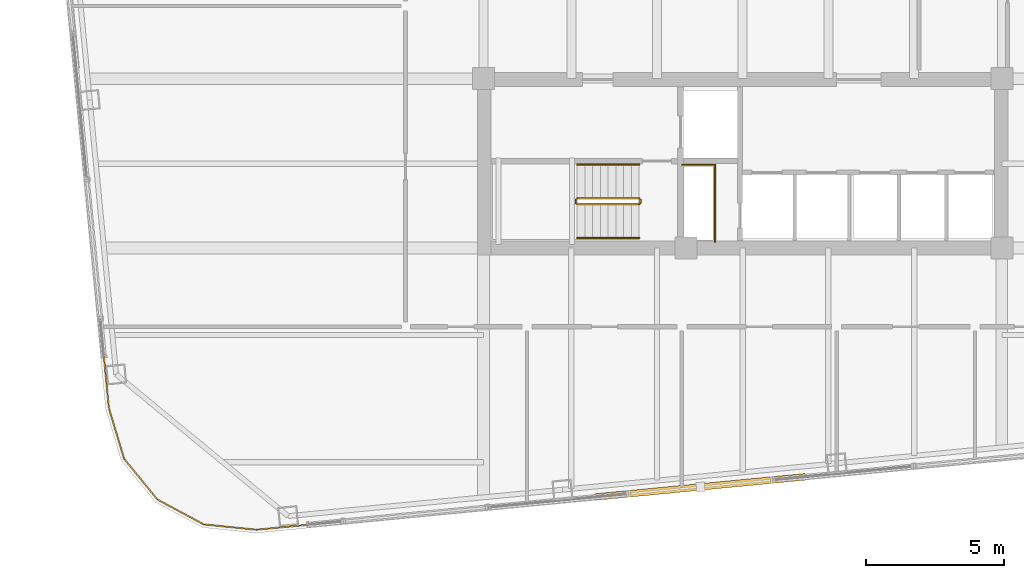
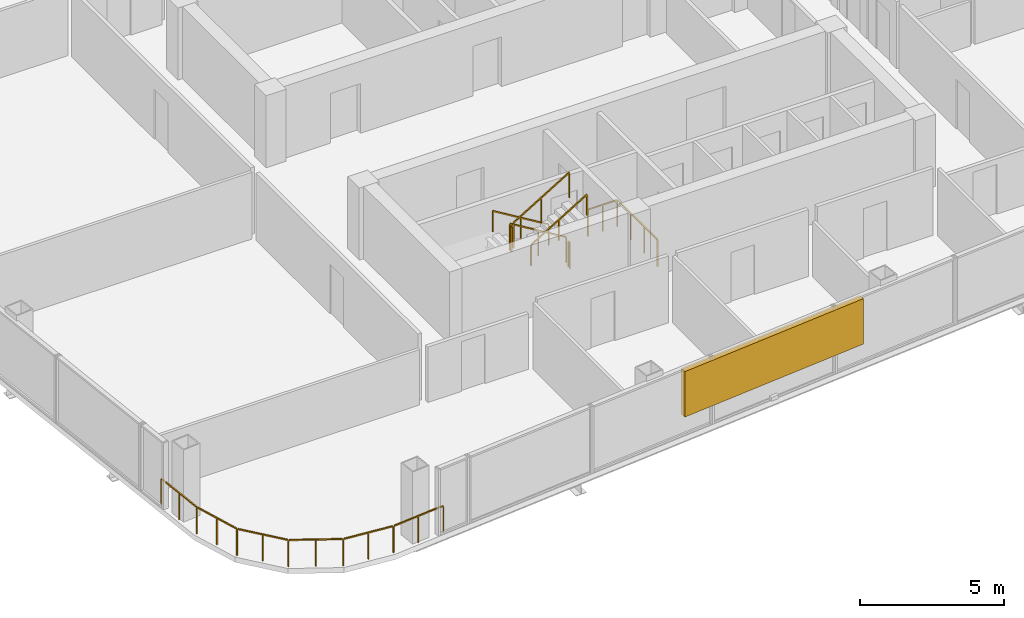
# One storey, part 20 of 22: 8 railings, 1 shading device.
"""IFC4 building model written with IfcOpenShell, lengths in metres."""

from ifc_helpers import new_model, si_unit, direction, frame, origin, origin_2d, place, context, subcontext, project, spatial, rectangle, extrude, material, type_object, element, save


model = new_model("IFC4")

# Units and contexts
model_context = context("Model", 3, precision=1e-05, world=origin(), true_north=direction((0.0, 1.0)))
body_context = subcontext(model_context, "Body", "Model", "MODEL_VIEW")
ifc_project = project(units=[si_unit("LENGTHUNIT", "METRE"), si_unit("AREAUNIT", "SQUARE_METRE"), si_unit("VOLUMEUNIT", "CUBIC_METRE"), si_unit("PLANEANGLEUNIT", "RADIAN"), si_unit("MASSUNIT", "GRAM", prefix="KILO")], contexts=[model_context])

# Site, building, storey
site_placement = place(None, origin())
site = spatial("IfcSite", under=ifc_project, at=site_placement, CompositionType="ELEMENT")
building_placement = place(site_placement, origin())
building = spatial("IfcBuilding", under=site, at=building_placement, Name="Qhalaya Broadcast Tower", CompositionType="ELEMENT")
storey_placement = place(building_placement, frame((0.0, 0.0, 165.300048828125)))
storey = spatial("IfcBuildingStorey", under=building, at=storey_placement, Name="L48", CompositionType="ELEMENT", Elevation=165.300048828125)

# Railings
ifc_material_1 = material(Name="Powder-Coated Galvanised Steel", Category="steel")
railing_type_1 = type_object("IfcRailingType", Name="Stair Wall Handrail 900", PredefinedType="HANDRAIL", material=ifc_material_1)
railing_1_placement = place(storey_placement, frame((-3.75, -5.72998046875, 0.16943359375)))
element("IfcRailing", 1, at=railing_1_placement, inside=storey, type_object=railing_type_1, Name="L48 ST-2 Stair Handrail 1", PredefinedType="HANDRAIL", context=body_context, shape_type="SweptSolid", body=[
    extrude(rectangle(XDim=0.048095703125, YDim=0.048095703125, at=origin_2d()), frame((0.0, 0.0, 0.8759765625), z_axis=(-0.855553338991, 0.0, 0.51771467445), x_axis=(0.0, -1.0, 0.0)), (0.0, 0.0, 1.0), 2.6181640625),
    extrude(rectangle(XDim=0.0419921875, YDim=0.0419921875, at=origin_2d()), origin(), (0.0, 0.0, 1.0), 0.849853515625),
    extrude(rectangle(XDim=0.0419921875, YDim=0.0419921875, at=origin_2d()), frame((-1.1201171875, 0.0, 0.677734375)), (0.0, 0.0, 1.0), 0.849853515625),
    extrude(rectangle(XDim=0.0419921875, YDim=0.0419921875, at=origin_2d()), frame((-2.239990234375, 0.0, 1.35546875)), (0.0, 0.0, 1.0), 0.849853515625),
])
railing_2_placement = place(storey_placement, frame((-5.989990234375, -8.389892578125, 1.6943359375)))
element("IfcRailing", 2, at=railing_2_placement, inside=storey, type_object=railing_type_1, Name="L48 ST-2 Stair Handrail 2", PredefinedType="HANDRAIL", context=body_context, shape_type="SweptSolid", body=[
    extrude(rectangle(XDim=0.048095703125, YDim=0.048095703125, at=origin_2d()), frame((0.0, 0.0, 0.8759765625), z_axis=(0.855512035549, 0.0, 0.517782924622), x_axis=(0.0, 1.0, 0.0)), (0.0, 0.0, 1.0), 2.618408203125),
    extrude(rectangle(XDim=0.0419921875, YDim=0.0419921875, at=origin_2d()), origin(), (0.0, 0.0, 1.0), 0.849853515625),
    extrude(rectangle(XDim=0.0419921875, YDim=0.0419921875, at=origin_2d()), frame((1.1201171875, 0.0, 0.677734375)), (0.0, 0.0, 1.0), 0.849853515625),
    extrude(rectangle(XDim=0.0419921875, YDim=0.0419921875, at=origin_2d()), frame((2.239990234375, 0.0, 1.355712890625)), (0.0, 0.0, 1.0), 0.849853515625),
])
railing_type_2 = type_object("IfcRailingType", Name="Stair Well & Landing Guardrail 1100", PredefinedType="GUARDRAIL", material=ifc_material_1)
railing_3_placement = place(storey_placement, frame((-1.0, -8.52001953125, 0.0)))
element("IfcRailing", 3, at=railing_3_placement, inside=storey, type_object=railing_type_2, Name="L48 Service Riser Opening Safety Guard SRSR", PredefinedType="GUARDRAIL", context=body_context, shape_type="SweptSolid", body=[
    extrude(rectangle(XDim=0.048095703125, YDim=0.048095703125, at=origin_2d()), frame((0.0, 0.0, 1.1259765625), z_axis=(0.0, 1.0, 0.0), x_axis=(-1.0, 0.0, 0.0)), (0.0, 0.0, 1.0), 2.751220703125),
    extrude(rectangle(XDim=0.048095703125, YDim=0.048095703125, at=origin_2d()), frame((-0.02880859375, 2.780029296875, 1.1259765625), z_axis=(-1.0, 0.0, 0.0), x_axis=(0.0, -1.0, 0.0)), (0.0, 0.0, 1.0), 1.151123046875),
    extrude(rectangle(XDim=0.0419921875, YDim=0.0419921875, at=origin_2d()), origin(), (0.0, 0.0, 1.0), 1.099853515625),
    extrude(rectangle(XDim=0.0419921875, YDim=0.0419921875, at=origin_2d()), frame((0.0, 0.9267578125, 0.0)), (0.0, 0.0, 1.0), 1.099853515625),
    extrude(rectangle(XDim=0.0419921875, YDim=0.0419921875, at=origin_2d()), frame((0.0, 1.853271484375, 0.0)), (0.0, 0.0, 1.0), 1.099853515625),
    extrude(rectangle(XDim=0.0419921875, YDim=0.0419921875, at=origin_2d()), frame((0.0, 2.780029296875, 0.0)), (0.0, 0.0, 1.0), 1.099853515625),
    extrude(rectangle(XDim=0.0419921875, YDim=0.0419921875, at=origin_2d()), frame((-0.58984375, 2.780029296875, 0.0)), (0.0, 0.0, 1.0), 1.099853515625),
    extrude(rectangle(XDim=0.0419921875, YDim=0.0419921875, at=origin_2d()), frame((-1.179931640625, 2.780029296875, 0.0)), (0.0, 0.0, 1.0), 1.099853515625),
])
railing_4_placement = place(storey_placement, frame((-3.75, -6.949951171875, 0.16943359375)))
element("IfcRailing", 4, at=railing_4_placement, inside=storey, type_object=railing_type_2, Name="L48 ST-2 Stair Guard 1", PredefinedType="GUARDRAIL", context=body_context, shape_type="SweptSolid", body=[
    extrude(rectangle(XDim=0.048095703125, YDim=0.048095703125, at=origin_2d()), frame((0.0, 0.0, 1.076171875), z_axis=(-0.855553338991, 0.0, 0.51771467445), x_axis=(0.0, -1.0, 0.0)), (0.0, 0.0, 1.0), 2.6181640625),
    extrude(rectangle(XDim=0.0419921875, YDim=0.0419921875, at=origin_2d()), origin(), (0.0, 0.0, 1.0), 1.050048828125),
    extrude(rectangle(XDim=0.0419921875, YDim=0.0419921875, at=origin_2d()), frame((-1.1201171875, 0.0, 0.677734375)), (0.0, 0.0, 1.0), 1.050048828125),
    extrude(rectangle(XDim=0.0419921875, YDim=0.0419921875, at=origin_2d()), frame((-2.239990234375, 0.0, 1.35546875)), (0.0, 0.0, 1.0), 1.050048828125),
])
railing_5_placement = place(storey_placement, frame((-6.0400390625, -7.0, 1.52490234375)))
element("IfcRailing", 5, at=railing_5_placement, inside=storey, type_object=railing_type_2, Name="L48 ST-2 Stair Guard 2", PredefinedType="GUARDRAIL", context=body_context, shape_type="SweptSolid", body=[
    extrude(rectangle(XDim=0.048095703125, YDim=0.048095703125, at=origin_2d()), frame((0.0, 0.0, 1.076171875), z_axis=(0.0, -1.0, 0.0), x_axis=(1.0, 0.0, 0.0)), (0.0, 0.0, 1.0), 0.1201171875),
    extrude(rectangle(XDim=0.0419921875, YDim=0.0419921875, at=origin_2d()), origin(), (0.0, 0.0, 1.0), 1.050048828125),
    extrude(rectangle(XDim=0.0419921875, YDim=0.0419921875, at=origin_2d()), frame((0.0, -0.1201171875, 0.0)), (0.0, 0.0, 1.0), 1.050048828125),
])
railing_6_placement = place(storey_placement, frame((-5.989990234375, -7.169921875, 1.6943359375)))
element("IfcRailing", 6, at=railing_6_placement, inside=storey, type_object=railing_type_2, Name="L48 ST-2 Stair Guard 3", PredefinedType="GUARDRAIL", context=body_context, shape_type="SweptSolid", body=[
    extrude(rectangle(XDim=0.048095703125, YDim=0.048095703125, at=origin_2d()), frame((0.0, 0.0, 1.076171875), z_axis=(0.855512035549, 0.0, 0.517782924622), x_axis=(0.0, 1.0, 0.0)), (0.0, 0.0, 1.0), 2.618408203125),
    extrude(rectangle(XDim=0.0419921875, YDim=0.0419921875, at=origin_2d()), origin(), (0.0, 0.0, 1.0), 1.050048828125),
    extrude(rectangle(XDim=0.0419921875, YDim=0.0419921875, at=origin_2d()), frame((1.1201171875, 0.0, 0.677734375)), (0.0, 0.0, 1.0), 1.050048828125),
    extrude(rectangle(XDim=0.0419921875, YDim=0.0419921875, at=origin_2d()), frame((2.239990234375, 0.0, 1.355712890625)), (0.0, 0.0, 1.0), 1.050048828125),
])
railing_7_placement = place(storey_placement, frame((-3.699951171875, -7.0, 0.0)))
element("IfcRailing", 7, at=railing_7_placement, inside=storey, type_object=railing_type_2, Name="L48 ST-2 Stair Guard 4", PredefinedType="GUARDRAIL", context=body_context, shape_type="SweptSolid", body=[
    extrude(rectangle(XDim=0.048095703125, YDim=0.048095703125, at=origin_2d()), frame((0.0, 0.0, 1.076171875), z_axis=(0.0, -1.0, 0.0), x_axis=(1.0, 0.0, 0.0)), (0.0, 0.0, 1.0), 0.1201171875),
    extrude(rectangle(XDim=0.0419921875, YDim=0.0419921875, at=origin_2d()), origin(), (0.0, 0.0, 1.0), 1.050048828125),
    extrude(rectangle(XDim=0.0419921875, YDim=0.0419921875, at=origin_2d()), frame((0.0, -0.1201171875, 0.0)), (0.0, 0.0, 1.0), 1.050048828125),
])
railing_type_3 = type_object("IfcRailingType", Name="Terrace, Sky-Pool & Lookout Glass Balustrade 1150", PredefinedType="BALUSTRADE", material=ifc_material_1)
railing_8_placement = place(storey_placement, frame((-15.479736328125, -18.73681640625, 0.0)))
element("IfcRailing", 8, at=railing_8_placement, inside=storey, type_object=railing_type_3, Name="L48 Rounded Corner Perimeter Guard 02", PredefinedType="BALUSTRADE", context=body_context, shape_type="SweptSolid", body=[
    extrude(rectangle(XDim=0.048095703125, YDim=0.048095703125, at=origin_2d()), frame((0.0, 0.0, 1.1259765625), z_axis=(-0.995391273094, -0.095896889673, 0.0), x_axis=(0.095896889673, -0.995391273094, 0.0)), (0.0, 0.0, 1.0), 2.08935546875),
    extrude(rectangle(XDim=0.048095703125, YDim=0.048095703125, at=origin_2d()), frame((-2.13720703125, -0.2001953125, 1.1259765625), z_axis=(-0.994968808814, 0.100185175984, 0.0), x_axis=(-0.100185175984, -0.994968808814, 0.0)), (0.0, 0.0, 1.0), 1.857666015625),
    extrude(rectangle(XDim=0.048095703125, YDim=0.048095703125, at=origin_2d()), frame((-4.03955078125, 0.00244140625, 1.1259765625), z_axis=(-0.880932037714, 0.473242797018, 0.0), x_axis=(-0.473242797018, -0.880932037714, 0.0)), (0.0, 0.0, 1.0), 1.845458984375),
    extrude(rectangle(XDim=0.048095703125, YDim=0.048095703125, at=origin_2d()), frame((-5.708984375, 0.911865234375, 1.1259765625), z_axis=(-0.632671796541, 0.774420039683, 0.0), x_axis=(-0.774420039683, -0.632671796541, 0.0)), (0.0, 0.0, 1.0), 1.845458984375),
    extrude(rectangle(XDim=0.048095703125, YDim=0.048095703125, at=origin_2d()), frame((-6.903076171875, 2.390869140625, 1.1259765625), z_axis=(-0.288213171456, 0.95756627332, 0.0), x_axis=(-0.95756627332, -0.288213171456, 0.0)), (0.0, 0.0, 1.0), 1.857421875),
    extrude(rectangle(XDim=0.048095703125, YDim=0.048095703125, at=origin_2d()), frame((-7.449462890625, 4.22607421875, 1.1259765625), z_axis=(-0.095782687057, 0.995402268864, 0.0), x_axis=(-0.995402268864, -0.095782687057, 0.0)), (0.0, 0.0, 1.0), 2.08935546875),
    extrude(rectangle(XDim=0.0419921875, YDim=0.0419921875, at=origin_2d()), origin(), (0.0, 0.0, 1.0), 1.099853515625),
    extrude(rectangle(XDim=0.0419921875, YDim=0.0419921875, at=origin_2d()), frame((-1.05419921875, -0.1015625, 0.0)), (0.0, 0.0, 1.0), 1.099853515625),
    extrude(rectangle(XDim=0.0419921875, YDim=0.0419921875, at=origin_2d()), frame((-2.1083984375, -0.203125, 0.0)), (0.0, 0.0, 1.0), 1.099853515625),
    extrude(rectangle(XDim=0.0419921875, YDim=0.0419921875, at=origin_2d()), frame((-3.061279296875, -0.107177734375, 0.0)), (0.0, 0.0, 1.0), 1.099853515625),
    extrude(rectangle(XDim=0.0419921875, YDim=0.0419921875, at=origin_2d()), frame((-4.01416015625, -0.01123046875, 0.0)), (0.0, 0.0, 1.0), 1.099853515625),
    extrude(rectangle(XDim=0.0419921875, YDim=0.0419921875, at=origin_2d()), frame((-4.8525390625, 0.43896484375, 0.0)), (0.0, 0.0, 1.0), 1.099853515625),
    extrude(rectangle(XDim=0.0419921875, YDim=0.0419921875, at=origin_2d()), frame((-5.690673828125, 0.889404296875, 0.0)), (0.0, 0.0, 1.0), 1.099853515625),
    extrude(rectangle(XDim=0.0419921875, YDim=0.0419921875, at=origin_2d()), frame((-6.292724609375, 1.62646484375, 0.0)), (0.0, 0.0, 1.0), 1.099853515625),
    extrude(rectangle(XDim=0.0419921875, YDim=0.0419921875, at=origin_2d()), frame((-6.894775390625, 2.36328125, 0.0)), (0.0, 0.0, 1.0), 1.099853515625),
    extrude(rectangle(XDim=0.0419921875, YDim=0.0419921875, at=origin_2d()), frame((-7.1708984375, 3.2802734375, 0.0)), (0.0, 0.0, 1.0), 1.099853515625),
    extrude(rectangle(XDim=0.0419921875, YDim=0.0419921875, at=origin_2d()), frame((-7.44677734375, 4.197265625, 0.0)), (0.0, 0.0, 1.0), 1.099853515625),
    extrude(rectangle(XDim=0.0419921875, YDim=0.0419921875, at=origin_2d()), frame((-7.54833984375, 5.25146484375, 0.0)), (0.0, 0.0, 1.0), 1.099853515625),
    extrude(rectangle(XDim=0.0419921875, YDim=0.0419921875, at=origin_2d()), frame((-7.649658203125, 6.3056640625, 0.0)), (0.0, 0.0, 1.0), 1.099853515625),
])

# Shading device
ifc_material_2 = material(Name="Fired Architectural Terracotta", Category="masonry")
shading_device_type = type_object("IfcShadingDeviceType", Name="Terracotta Baguette Solar Screen Assembly TBS-01", PredefinedType="USERDEFINED", material=ifc_material_2)
shading_device_placement = place(storey_placement, frame((-1.5244140625, -17.393310546875, 0.79248046875), z_axis=(0.0, 0.0, 1.0), x_axis=(0.995396198367, 0.09584575252, 0.0)))
element("IfcShadingDevice", 9, at=shading_device_placement, inside=storey, type_object=shading_device_type, Name="L48 Fired Terracotta Baguette Screen S", ObjectType="BAGUETTE", PredefinedType="USERDEFINED", context=body_context, shape_type="SweptSolid", body=[
    extrude(rectangle(XDim=7.60009765625, YDim=0.239990234375, at=origin_2d()), origin(), (0.0, 0.0, 1.0), 1.924072265625),
])

save(model, "model.ifc")
